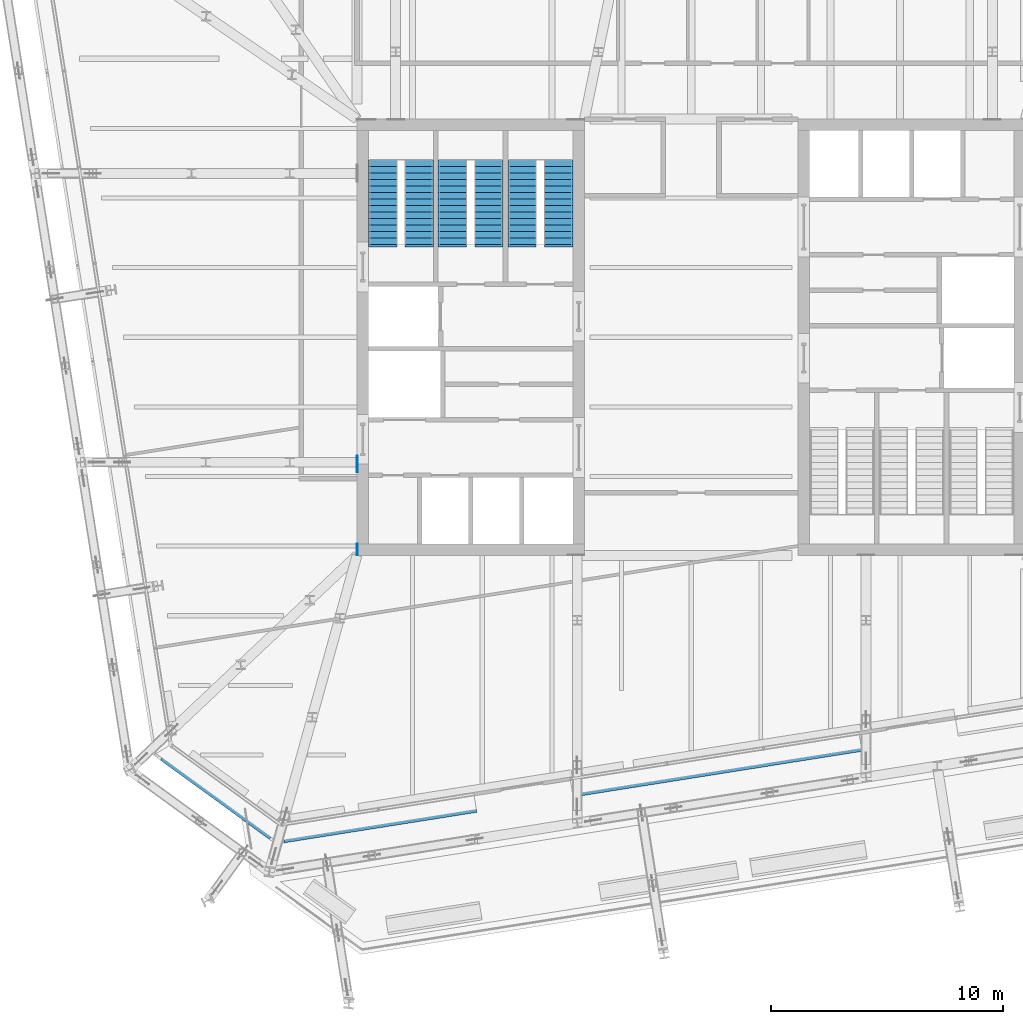
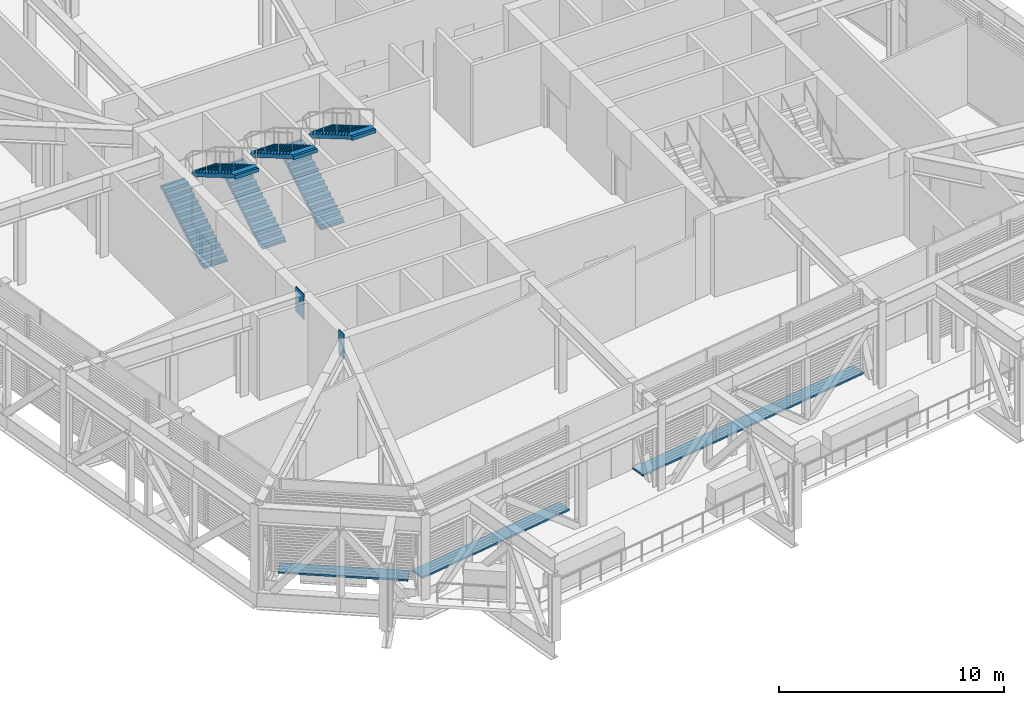
# One storey, part 24 of 35: 6 stair flights, 5 discrete accessories, 3 elements without a shape of their own.
"""IFC4 building model written with IfcOpenShell, lengths in metres."""

from ifc_helpers import new_model, si_unit, direction, frame, origin, origin_2d, place, context, subcontext, project, spatial, polyline, rectangle, outline, extrude, material, layer, layer_set, type_object, element, aggregate, save


model = new_model("IFC4")

# Units and contexts
model_context = context("Model", 3, precision=1e-05, world=origin(), true_north=direction((0.0, 1.0)))
body_context = subcontext(model_context, "Body", "Model", "MODEL_VIEW")
ifc_project = project(units=[si_unit("LENGTHUNIT", "METRE"), si_unit("AREAUNIT", "SQUARE_METRE"), si_unit("VOLUMEUNIT", "CUBIC_METRE"), si_unit("PLANEANGLEUNIT", "RADIAN"), si_unit("MASSUNIT", "GRAM", prefix="KILO")], contexts=[model_context])

# Site, building, storey
site_placement = place(None, origin())
site = spatial("IfcSite", under=ifc_project, at=site_placement, CompositionType="ELEMENT")
building_placement = place(site_placement, origin())
building = spatial("IfcBuilding", under=site, at=building_placement, Name="Millrace Tower", CompositionType="ELEMENT")
storey_placement = place(building_placement, frame((0.0, 0.0, 200.10009765625)))
storey = spatial("IfcBuildingStorey", under=building, at=storey_placement, Name="L45", CompositionType="ELEMENT", Elevation=200.10009765625)

# Stair, stair flights
ifc_material_1 = material(Name="Concrete C35", Category="concrete")
stair_type = type_object("IfcStairType", Name="Exit stair", PredefinedType="HALF_TURN_STAIR", material=ifc_material_1)
placement = place(storey_placement, origin())
stair_1 = element("IfcStair", 1, at=placement, inside=storey, type_object=stair_type, Name="Stair 1 W L45", PredefinedType="HALF_TURN_STAIR")
ifc_material_2 = material(Name="Concrete C35", Category="concrete")
stair_flight_type = type_object("IfcStairFlightType", Name="Exit stair flight", PredefinedType="STRAIGHT", material=ifc_material_2)
stair_flight_1_placement = place(storey_placement, frame((-13.2900390625, 4.0, 0.0), z_axis=(0.0, 0.0, 1.0), x_axis=(0.0, 1.0, 0.0)))
stair_flight_1 = element("IfcStairFlight", 2, at=stair_flight_1_placement, type_object=stair_flight_type, Name="ST12 flight 1", NumberOfRisers=14, NumberOfTreads=13, PredefinedType="STRAIGHT", RiserHeight=0.164285714, TreadLength=0.28, context=body_context, shape_type="SweptSolid", body=[
    extrude(outline(polyline([(-0.1201171875, -0.0400390625), (-0.1201171875, 0.0), (0.0, 0.0), (0.0, 0.164306640625), (0.280029296875, 0.164306640625), (0.280029296875, 0.32861328125), (0.56005859375, 0.32861328125), (0.56005859375, 0.492919921875), (0.840087890625, 0.492919921875), (0.840087890625, 0.6572265625), (1.1201171875, 0.6572265625), (1.1201171875, 0.821533203125), (1.39990234375, 0.821533203125), (1.39990234375, 0.985595703125), (1.679931640625, 0.985595703125), (1.679931640625, 1.14990234375), (1.9599609375, 1.14990234375), (1.9599609375, 1.314208984375), (2.239990234375, 1.314208984375), (2.239990234375, 1.478515625), (2.52001953125, 1.478515625), (2.52001953125, 1.642822265625), (2.800048828125, 1.642822265625), (2.800048828125, 1.80712890625), (3.080078125, 1.80712890625), (3.080078125, 1.971435546875), (3.360107421875, 1.971435546875), (3.360107421875, 2.1357421875), (3.639892578125, 2.1357421875), (3.639892578125, 2.15576171875), (3.760009765625, 2.15576171875), (3.760009765625, 1.9619140625), (3.639892578125, 1.9619140625), (0.296142578125, 0.0), (0.296142578125, -0.0400390625), (-0.1201171875, -0.0400390625)])), frame((0.0, 0.60986328125, 0.0), z_axis=(0.0, -1.0, 0.0), x_axis=(1.0, 0.0, 0.0)), (0.0, 0.0, 1.0), 1.219970703125),
])
stair_flight_2_placement = place(storey_placement, frame((-11.7099609375, 7.639892578125, 2.2998046875), z_axis=(0.0, 0.0, 1.0), x_axis=(0.0, -1.0, 0.0)))
stair_flight_2 = element("IfcStairFlight", 3, at=stair_flight_2_placement, type_object=stair_flight_type, Name="ST12 flight 2", NumberOfRisers=14, NumberOfTreads=13, PredefinedType="STRAIGHT", RiserHeight=0.164285714, TreadLength=0.28, context=body_context, shape_type="SweptSolid", body=[
    extrude(outline(polyline([(-0.1201171875, -0.0400390625), (-0.1201171875, 0.0), (0.0, 0.0), (0.0, 0.164306640625), (0.280029296875, 0.164306640625), (0.280029296875, 0.32861328125), (0.56005859375, 0.32861328125), (0.56005859375, 0.492919921875), (0.840087890625, 0.492919921875), (0.840087890625, 0.6572265625), (1.1201171875, 0.6572265625), (1.1201171875, 0.821533203125), (1.39990234375, 0.821533203125), (1.39990234375, 0.985595703125), (1.679931640625, 0.985595703125), (1.679931640625, 1.14990234375), (1.9599609375, 1.14990234375), (1.9599609375, 1.314208984375), (2.239990234375, 1.314208984375), (2.239990234375, 1.478515625), (2.52001953125, 1.478515625), (2.52001953125, 1.642822265625), (2.800048828125, 1.642822265625), (2.800048828125, 1.80712890625), (3.080078125, 1.80712890625), (3.080078125, 1.971435546875), (3.360107421875, 1.971435546875), (3.360107421875, 2.1357421875), (3.639892578125, 2.1357421875), (3.639892578125, 2.15576171875), (3.760009765625, 2.15576171875), (3.760009765625, 1.9619140625), (3.639892578125, 1.9619140625), (0.296142578125, 0.0), (0.296142578125, -0.0400390625), (-0.1201171875, -0.0400390625)])), frame((0.0, 0.60986328125, 0.0), z_axis=(0.0, -1.0, 0.0), x_axis=(1.0, 0.0, 0.0)), (0.0, 0.0, 1.0), 1.219970703125),
])
aggregate(stair_1, [stair_flight_1, stair_flight_2])

stair_2 = element("IfcStair", 4, at=placement, inside=storey, type_object=stair_type, Name="Stair 2 W L45", PredefinedType="HALF_TURN_STAIR")
stair_flight_3_placement = place(storey_placement, frame((-10.2900390625, 4.0, 0.0), z_axis=(0.0, 0.0, 1.0), x_axis=(0.0, 1.0, 0.0)))
stair_flight_3 = element("IfcStairFlight", 5, at=stair_flight_3_placement, type_object=stair_flight_type, Name="ST12 flight 1", NumberOfRisers=14, NumberOfTreads=13, PredefinedType="STRAIGHT", RiserHeight=0.164285714, TreadLength=0.28, context=body_context, shape_type="SweptSolid", body=[
    extrude(outline(polyline([(-0.1201171875, -0.0400390625), (-0.1201171875, 0.0), (0.0, 0.0), (0.0, 0.164306640625), (0.280029296875, 0.164306640625), (0.280029296875, 0.32861328125), (0.56005859375, 0.32861328125), (0.56005859375, 0.492919921875), (0.840087890625, 0.492919921875), (0.840087890625, 0.6572265625), (1.1201171875, 0.6572265625), (1.1201171875, 0.821533203125), (1.39990234375, 0.821533203125), (1.39990234375, 0.985595703125), (1.679931640625, 0.985595703125), (1.679931640625, 1.14990234375), (1.9599609375, 1.14990234375), (1.9599609375, 1.314208984375), (2.239990234375, 1.314208984375), (2.239990234375, 1.478515625), (2.52001953125, 1.478515625), (2.52001953125, 1.642822265625), (2.800048828125, 1.642822265625), (2.800048828125, 1.80712890625), (3.080078125, 1.80712890625), (3.080078125, 1.971435546875), (3.360107421875, 1.971435546875), (3.360107421875, 2.1357421875), (3.639892578125, 2.1357421875), (3.639892578125, 2.15576171875), (3.760009765625, 2.15576171875), (3.760009765625, 1.9619140625), (3.639892578125, 1.9619140625), (0.296142578125, 0.0), (0.296142578125, -0.0400390625), (-0.1201171875, -0.0400390625)])), frame((0.0, 0.60986328125, 0.0), z_axis=(0.0, -1.0, 0.0), x_axis=(1.0, 0.0, 0.0)), (0.0, 0.0, 1.0), 1.219970703125),
])
stair_flight_4_placement = place(storey_placement, frame((-8.7099609375, 7.639892578125, 2.2998046875), z_axis=(0.0, 0.0, 1.0), x_axis=(0.0, -1.0, 0.0)))
stair_flight_4 = element("IfcStairFlight", 6, at=stair_flight_4_placement, type_object=stair_flight_type, Name="ST12 flight 2", NumberOfRisers=14, NumberOfTreads=13, PredefinedType="STRAIGHT", RiserHeight=0.164285714, TreadLength=0.28, context=body_context, shape_type="SweptSolid", body=[
    extrude(outline(polyline([(-0.1201171875, -0.0400390625), (-0.1201171875, 0.0), (0.0, 0.0), (0.0, 0.164306640625), (0.280029296875, 0.164306640625), (0.280029296875, 0.32861328125), (0.56005859375, 0.32861328125), (0.56005859375, 0.492919921875), (0.840087890625, 0.492919921875), (0.840087890625, 0.6572265625), (1.1201171875, 0.6572265625), (1.1201171875, 0.821533203125), (1.39990234375, 0.821533203125), (1.39990234375, 0.985595703125), (1.679931640625, 0.985595703125), (1.679931640625, 1.14990234375), (1.9599609375, 1.14990234375), (1.9599609375, 1.314208984375), (2.239990234375, 1.314208984375), (2.239990234375, 1.478515625), (2.52001953125, 1.478515625), (2.52001953125, 1.642822265625), (2.800048828125, 1.642822265625), (2.800048828125, 1.80712890625), (3.080078125, 1.80712890625), (3.080078125, 1.971435546875), (3.360107421875, 1.971435546875), (3.360107421875, 2.1357421875), (3.639892578125, 2.1357421875), (3.639892578125, 2.15576171875), (3.760009765625, 2.15576171875), (3.760009765625, 1.9619140625), (3.639892578125, 1.9619140625), (0.296142578125, 0.0), (0.296142578125, -0.0400390625), (-0.1201171875, -0.0400390625)])), frame((0.0, 0.60986328125, 0.0), z_axis=(0.0, -1.0, 0.0), x_axis=(1.0, 0.0, 0.0)), (0.0, 0.0, 1.0), 1.219970703125),
])
aggregate(stair_2, [stair_flight_3, stair_flight_4])

stair_3 = element("IfcStair", 7, at=placement, inside=storey, type_object=stair_type, Name="Stair 3 W L45", PredefinedType="HALF_TURN_STAIR")
stair_flight_5_placement = place(storey_placement, frame((-7.2900390625, 4.0, 0.0), z_axis=(0.0, 0.0, 1.0), x_axis=(0.0, 1.0, 0.0)))
stair_flight_5 = element("IfcStairFlight", 8, at=stair_flight_5_placement, type_object=stair_flight_type, Name="ST12 flight 1", NumberOfRisers=14, NumberOfTreads=13, PredefinedType="STRAIGHT", RiserHeight=0.164285714, TreadLength=0.28, context=body_context, shape_type="SweptSolid", body=[
    extrude(outline(polyline([(-0.1201171875, -0.0400390625), (-0.1201171875, 0.0), (0.0, 0.0), (0.0, 0.164306640625), (0.280029296875, 0.164306640625), (0.280029296875, 0.32861328125), (0.56005859375, 0.32861328125), (0.56005859375, 0.492919921875), (0.840087890625, 0.492919921875), (0.840087890625, 0.6572265625), (1.1201171875, 0.6572265625), (1.1201171875, 0.821533203125), (1.39990234375, 0.821533203125), (1.39990234375, 0.985595703125), (1.679931640625, 0.985595703125), (1.679931640625, 1.14990234375), (1.9599609375, 1.14990234375), (1.9599609375, 1.314208984375), (2.239990234375, 1.314208984375), (2.239990234375, 1.478515625), (2.52001953125, 1.478515625), (2.52001953125, 1.642822265625), (2.800048828125, 1.642822265625), (2.800048828125, 1.80712890625), (3.080078125, 1.80712890625), (3.080078125, 1.971435546875), (3.360107421875, 1.971435546875), (3.360107421875, 2.1357421875), (3.639892578125, 2.1357421875), (3.639892578125, 2.15576171875), (3.760009765625, 2.15576171875), (3.760009765625, 1.9619140625), (3.639892578125, 1.9619140625), (0.296142578125, 0.0), (0.296142578125, -0.0400390625), (-0.1201171875, -0.0400390625)])), frame((0.0, 0.60986328125, 0.0), z_axis=(0.0, -1.0, 0.0), x_axis=(1.0, 0.0, 0.0)), (0.0, 0.0, 1.0), 1.219970703125),
])
stair_flight_6_placement = place(storey_placement, frame((-5.7099609375, 7.639892578125, 2.2998046875), z_axis=(0.0, 0.0, 1.0), x_axis=(0.0, -1.0, 0.0)))
stair_flight_6 = element("IfcStairFlight", 9, at=stair_flight_6_placement, type_object=stair_flight_type, Name="ST12 flight 2", NumberOfRisers=14, NumberOfTreads=13, PredefinedType="STRAIGHT", RiserHeight=0.164285714, TreadLength=0.28, context=body_context, shape_type="SweptSolid", body=[
    extrude(outline(polyline([(-0.1201171875, -0.0400390625), (-0.1201171875, 0.0), (0.0, 0.0), (0.0, 0.164306640625), (0.280029296875, 0.164306640625), (0.280029296875, 0.32861328125), (0.56005859375, 0.32861328125), (0.56005859375, 0.492919921875), (0.840087890625, 0.492919921875), (0.840087890625, 0.6572265625), (1.1201171875, 0.6572265625), (1.1201171875, 0.821533203125), (1.39990234375, 0.821533203125), (1.39990234375, 0.985595703125), (1.679931640625, 0.985595703125), (1.679931640625, 1.14990234375), (1.9599609375, 1.14990234375), (1.9599609375, 1.314208984375), (2.239990234375, 1.314208984375), (2.239990234375, 1.478515625), (2.52001953125, 1.478515625), (2.52001953125, 1.642822265625), (2.800048828125, 1.642822265625), (2.800048828125, 1.80712890625), (3.080078125, 1.80712890625), (3.080078125, 1.971435546875), (3.360107421875, 1.971435546875), (3.360107421875, 2.1357421875), (3.639892578125, 2.1357421875), (3.639892578125, 2.15576171875), (3.760009765625, 2.15576171875), (3.760009765625, 1.9619140625), (3.639892578125, 1.9619140625), (0.296142578125, 0.0), (0.296142578125, -0.0400390625), (-0.1201171875, -0.0400390625)])), frame((0.0, 0.60986328125, 0.0), z_axis=(0.0, -1.0, 0.0), x_axis=(1.0, 0.0, 0.0)), (0.0, 0.0, 1.0), 1.219970703125),
])
aggregate(stair_3, [stair_flight_5, stair_flight_6])

# Discrete accessories
ifc_material_3 = material(Name="Steel ASTM A572 Grade 50", Category="steel")
ifc_layer_1 = layer(ifc_material_3, 0.034912109375)
ifc_layer_set_1 = layer_set([ifc_layer_1], Name="Steel ASTM A572 Grade 50")
discrete_accessory_type_1 = type_object("IfcDiscreteAccessoryType", Name="Cast-in anchor plate 500x1350x35", PredefinedType="ANCHORPLATE", material=ifc_layer_set_1)
discrete_accessory_1_placement = place(storey_placement, frame((-14.364990234375, -9.14990234375, 3.96630859375), z_axis=(-1.0, 0.0, 0.0), x_axis=(0.0, -1.0, 0.0)))
element("IfcDiscreteAccessory", 10, at=discrete_accessory_1_placement, inside=storey, type_object=discrete_accessory_type_1, Name="Cast-in anchor plate TRS-L45-C01-T04", PredefinedType="ANCHORPLATE", context=body_context, shape_type="SweptSolid", body=[
    extrude(rectangle(XDim=0.5, YDim=1.35009765625, at=origin_2d()), origin(), (0.0, 0.0, 1.0), 0.034912109375),
])
ifc_material_4 = material(Name="Steel ASTM A572 Grade 50", Category="steel")
ifc_layer_2 = layer(ifc_material_4, 0.034912109375)
ifc_layer_set_2 = layer_set([ifc_layer_2], Name="Steel ASTM A572 Grade 50")
discrete_accessory_type_2 = type_object("IfcDiscreteAccessoryType", Name="Cast-in anchor plate 725x1350x35", PredefinedType="ANCHORPLATE", material=ifc_layer_set_2)
discrete_accessory_2_placement = place(storey_placement, frame((-14.364990234375, -5.46240234375, 3.96630859375), z_axis=(-1.0, 0.0, 0.0), x_axis=(0.0, -1.0, 0.0)))
element("IfcDiscreteAccessory", 11, at=discrete_accessory_2_placement, inside=storey, type_object=discrete_accessory_type_2, Name="Cast-in anchor plate TRS-L45-C16-T04", PredefinedType="ANCHORPLATE", context=body_context, shape_type="SweptSolid", body=[
    extrude(rectangle(XDim=0.72509765625, YDim=1.35009765625, at=origin_2d()), origin(), (0.0, 0.0, 1.0), 0.034912109375),
])
ifc_material_5 = material(Name="Stainless steel ASTM A240 type 316", Category="steel")
discrete_accessory_type_3 = type_object("IfcDiscreteAccessoryType", Name="Thermally broken screen support rail", PredefinedType="BRACKET", material=ifc_material_5)
discrete_accessory_3_placement = place(storey_placement, frame((-20.314453125, -19.632080078125, -0.000244140625), z_axis=(0.0, 0.0, 1.0), x_axis=(0.809016955361, -0.587785305991, 0.0)))
element("IfcDiscreteAccessory", 12, at=discrete_accessory_3_placement, inside=storey, type_object=discrete_accessory_type_3, Name="Thermally broken screen support rail D-F01 L45 1", PredefinedType="BRACKET", context=body_context, shape_type="SweptSolid", body=[
    extrude(rectangle(XDim=5.79833984375, YDim=0.719970703125, at=origin_2d()), origin(), (0.0, 0.0, 1.0), 0.10009765625),
])
discrete_accessory_4_placement = place(storey_placement, frame((-13.441162109375, -20.77001953125, -0.000244140625), z_axis=(0.0, 0.0, 1.0), x_axis=(0.987688339511, 0.156434471884, 0.0)))
element("IfcDiscreteAccessory", 13, at=discrete_accessory_4_placement, inside=storey, type_object=discrete_accessory_type_3, Name="Thermally broken screen support rail D-F02 L45 1", PredefinedType="BRACKET", context=body_context, shape_type="SweptSolid", body=[
    extrude(rectangle(XDim=8.39990234375, YDim=0.719970703125, at=origin_2d()), origin(), (0.0, 0.0, 1.0), 0.10009765625),
])
discrete_accessory_5_placement = place(storey_placement, frame((1.077880859375, -18.470458984375, -0.000244140625), z_axis=(0.0, 0.0, 1.0), x_axis=(0.987688339511, 0.156434471884, 0.0)))
element("IfcDiscreteAccessory", 14, at=discrete_accessory_5_placement, inside=storey, type_object=discrete_accessory_type_3, Name="Thermally broken screen support rail D-F02 L45 2", PredefinedType="BRACKET", context=body_context, shape_type="SweptSolid", body=[
    extrude(rectangle(XDim=12.60009765625, YDim=0.719970703125, at=origin_2d()), origin(), (0.0, 0.0, 1.0), 0.10009765625),
])

save(model, "model.ifc")
